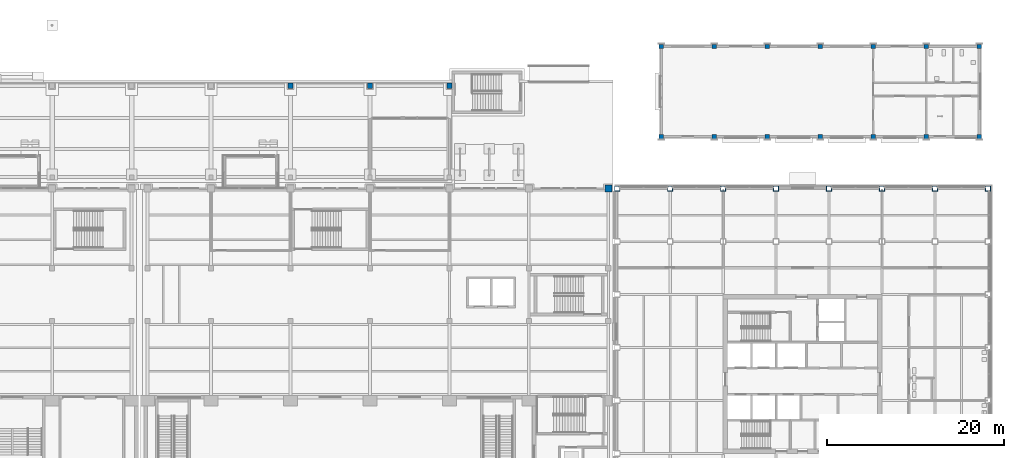
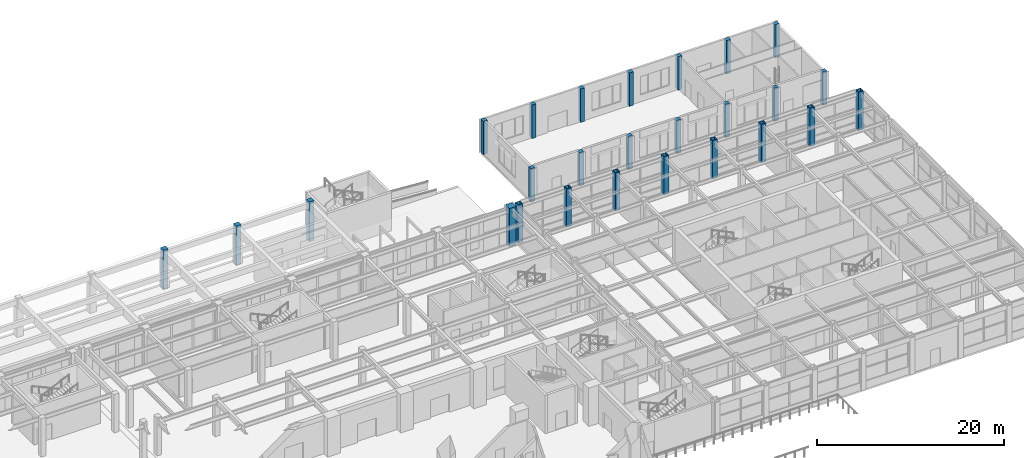
# One storey, part 14 of 77: 26 columns.
"""IFC4 building model written with IfcOpenShell, lengths in metres."""

from ifc_helpers import new_model, si_unit, direction, frame, origin, origin_2d, place, context, subcontext, project, spatial, rectangle, hollow_rectangle, extrude, material, material_profile, profile_set, type_object, element, save


model = new_model("IFC4")

# Units and contexts
model_context = context("Model", 3, precision=1e-05, world=origin(), true_north=direction((0.0, 1.0)))
body_context = subcontext(model_context, "Body", "Model", "MODEL_VIEW")
ifc_project = project(units=[si_unit("LENGTHUNIT", "METRE"), si_unit("AREAUNIT", "SQUARE_METRE"), si_unit("VOLUMEUNIT", "CUBIC_METRE"), si_unit("PLANEANGLEUNIT", "RADIAN"), si_unit("MASSUNIT", "GRAM", prefix="KILO")], contexts=[model_context])

# Site, building, storey
site_placement = place(None, origin())
site = spatial("IfcSite", under=ifc_project, at=site_placement, CompositionType="ELEMENT")
building_placement = place(site_placement, origin())
building = spatial("IfcBuilding", under=site, at=building_placement, Name="Aravalli Gate Trade Fair Centre", CompositionType="ELEMENT")
storey_placement = place(building_placement, origin())
storey = spatial("IfcBuildingStorey", under=building, at=storey_placement, Name="L00", CompositionType="ELEMENT", Elevation=0.0)

# Columns
ifc_material_1 = material(Name="Concrete M45", Category="concrete")
ifc_material_profile_1 = material_profile(ifc_material_1, rectangle(XDim=0.60009765625, YDim=0.60009765625, at=origin_2d()), Name="Arcade pier 600 x 600")
ifc_profile_set_1 = profile_set([ifc_material_profile_1], Name="Concrete M45")
column_type_1 = type_object("IfcColumnType", Name="Arcade pier 600 x 600", PredefinedType="COLUMN", material=ifc_profile_set_1)
for number, where, z_axis, x_axis, name in (
    (1, (123.0, 144.64990234375, -0.199951171875), (0.0, 0.0, 1.0), (1.0, 0.0, 0.0), "Arcade pier N14 L00"),
    (2, (132.0, 144.64990234375, -0.199951171875), (0.0, 0.0, 1.0), (1.0, 0.0, 0.0), "Arcade pier N15 L00"),
    (3, (141.0, 144.64990234375, -0.199951171875), (0.0, 0.0, 1.0), (1.0, 0.0, 0.0), "Arcade pier N16 L00"),
):
    element("IfcColumn", number, at=place(storey_placement, frame(where, z_axis=z_axis, x_axis=x_axis)), inside=storey, type_object=column_type_1, Name=name, PredefinedType="COLUMN", context=body_context, shape_type="SweptSolid", body=[
        extrude(rectangle(XDim=0.60009765625, YDim=0.60009765625, at=origin_2d()), origin(), (0.0, 0.0, 1.0), 5.199951171875),
    ])
ifc_material_2 = material(Name="Concrete M40", Category="concrete")
ifc_material_profile_2 = material_profile(ifc_material_2, rectangle(XDim=0.5, YDim=0.5, at=origin_2d()), Name="Pavilion column RC 500 x 500")
ifc_profile_set_2 = profile_set([ifc_material_profile_2], Name="Concrete M40")
column_type_2 = type_object("IfcColumnType", Name="Pavilion column RC 500 x 500", PredefinedType="COLUMN", material=ifc_profile_set_2)
for number, where, z_axis, x_axis, name in (
    (4, (165.0, 138.89990234375, 0.0), (0.0, 0.0, 1.0), (1.0, 0.0, 0.0), "Pavilion column 1S"),
    (5, (165.0, 149.10009765625, 0.0), (0.0, 0.0, 1.0), (1.0, 0.0, 0.0), "Pavilion column 1N"),
    (6, (171.0, 138.89990234375, 0.0), (0.0, 0.0, 1.0), (1.0, 0.0, 0.0), "Pavilion column 2S"),
    (7, (171.0, 149.10009765625, 0.0), (0.0, 0.0, 1.0), (1.0, 0.0, 0.0), "Pavilion column 2N"),
    (8, (177.0, 138.89990234375, 0.0), (0.0, 0.0, 1.0), (1.0, 0.0, 0.0), "Pavilion column 3S"),
    (9, (177.0, 149.10009765625, 0.0), (0.0, 0.0, 1.0), (1.0, 0.0, 0.0), "Pavilion column 3N"),
    (10, (183.0, 138.89990234375, 0.0), (0.0, 0.0, 1.0), (1.0, 0.0, 0.0), "Pavilion column 4S"),
    (11, (183.0, 149.10009765625, 0.0), (0.0, 0.0, 1.0), (1.0, 0.0, 0.0), "Pavilion column 4N"),
    (12, (189.0, 138.89990234375, 0.0), (0.0, 0.0, 1.0), (1.0, 0.0, 0.0), "Pavilion column 5S"),
    (13, (189.0, 149.10009765625, 0.0), (0.0, 0.0, 1.0), (1.0, 0.0, 0.0), "Pavilion column 5N"),
    (14, (195.0, 138.89990234375, 0.0), (0.0, 0.0, 1.0), (1.0, 0.0, 0.0), "Pavilion column 6S"),
    (15, (195.0, 149.10009765625, 0.0), (0.0, 0.0, 1.0), (1.0, 0.0, 0.0), "Pavilion column 6N"),
    (16, (201.0, 138.89990234375, 0.0), (0.0, 0.0, 1.0), (1.0, 0.0, 0.0), "Pavilion column 7S"),
    (17, (201.0, 149.10009765625, 0.0), (0.0, 0.0, 1.0), (1.0, 0.0, 0.0), "Pavilion column 7N"),
):
    element("IfcColumn", number, at=place(storey_placement, frame(where, z_axis=z_axis, x_axis=x_axis)), inside=storey, type_object=column_type_2, Name=name, PredefinedType="COLUMN", context=body_context, shape_type="SweptSolid", body=[
        extrude(rectangle(XDim=0.5, YDim=0.5, at=origin_2d()), origin(), (0.0, 0.0, 1.0), 4.35009765625),
    ])
ifc_material_profile_3 = material_profile(ifc_material_1, rectangle(XDim=0.800048828125, YDim=0.800048828125, at=origin_2d()), Name="RC column 800 x 800")
ifc_profile_set_3 = profile_set([ifc_material_profile_3], Name="Concrete M45")
column_type_3 = type_object("IfcColumnType", Name="RC column 800 x 800", PredefinedType="COLUMN", material=ifc_profile_set_3)
column_placement = place(storey_placement, frame((159.0, 133.0, 0.0), z_axis=(0.0, 0.0, 1.0), x_axis=(1.0, 0.0, 0.0)))
element("IfcColumn", 18, at=column_placement, inside=storey, type_object=column_type_3, Name="Concourse column KE L00", PredefinedType="COLUMN", context=body_context, shape_type="SweptSolid", body=[
    extrude(rectangle(XDim=0.800048828125, YDim=0.800048828125, at=origin_2d()), origin(), (0.0, 0.0, 1.0), 5.0),
])
ifc_material_3 = material(Name="Steel E350", Category="steel")
ifc_material_profile_4 = material_profile(ifc_material_3, hollow_rectangle(XDim=0.60009765625, YDim=0.60009765625, WallThickness=0.0400390625, at=origin_2d()), Name="BOX 600x600x40")
ifc_profile_set_4 = profile_set([ifc_material_profile_4], Name="Steel E350")
column_type_4 = type_object("IfcColumnType", Name="Wing box column 600 x 600 x 40", PredefinedType="COLUMN", material=ifc_profile_set_4)
for number, where, z_axis, x_axis, name in (
    (19, (160.0, 133.0, 0.0), (0.0, 0.0, 1.0), (1.0, 0.0, 0.0), "Wing column 18/K L00"),
    (20, (166.0, 133.0, 0.0), (0.0, 0.0, 1.0), (1.0, 0.0, 0.0), "Wing column 19/K L00"),
    (21, (172.0, 133.0, 0.0), (0.0, 0.0, 1.0), (1.0, 0.0, 0.0), "Wing column 20/K L00"),
    (22, (178.0, 133.0, 0.0), (0.0, 0.0, 1.0), (1.0, 0.0, 0.0), "Wing column 21/K L00"),
    (23, (184.0, 133.0, 0.0), (0.0, 0.0, 1.0), (1.0, 0.0, 0.0), "Wing column 22/K L00"),
    (24, (190.0, 133.0, 0.0), (0.0, 0.0, 1.0), (1.0, 0.0, 0.0), "Wing column 23/K L00"),
    (25, (196.0, 133.0, 0.0), (0.0, 0.0, 1.0), (1.0, 0.0, 0.0), "Wing column 24/K L00"),
    (26, (202.0, 133.0, 0.0), (0.0, 0.0, 1.0), (1.0, 0.0, 0.0), "Wing column 25/K L00"),
):
    element("IfcColumn", number, at=place(storey_placement, frame(where, z_axis=z_axis, x_axis=x_axis)), inside=storey, type_object=column_type_4, Name=name, PredefinedType="COLUMN", context=body_context, shape_type="SweptSolid", body=[
        extrude(hollow_rectangle(XDim=0.60009765625, YDim=0.60009765625, WallThickness=0.0400390625, at=origin_2d()), origin(), (0.0, 0.0, 1.0), 5.0),
    ])

save(model, "model.ifc")
